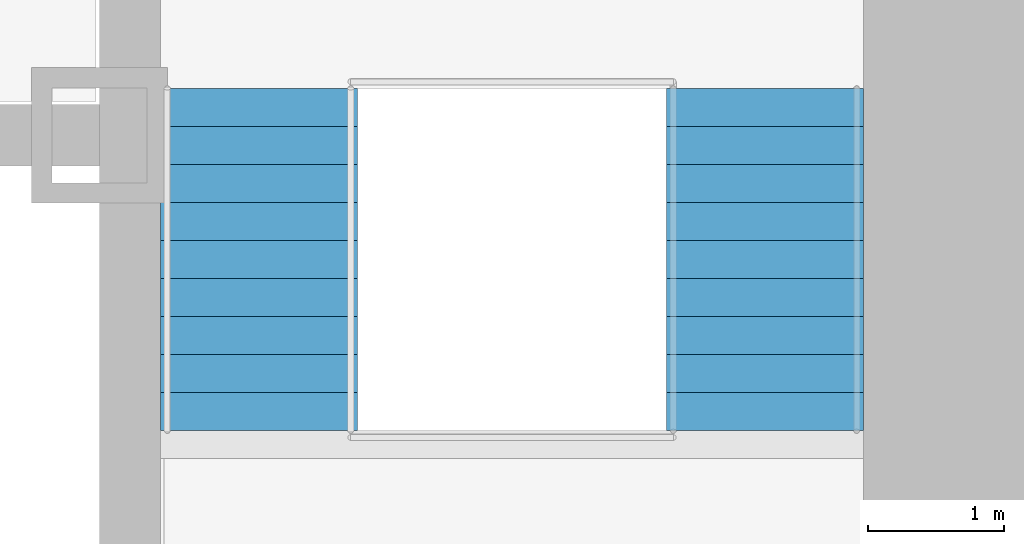
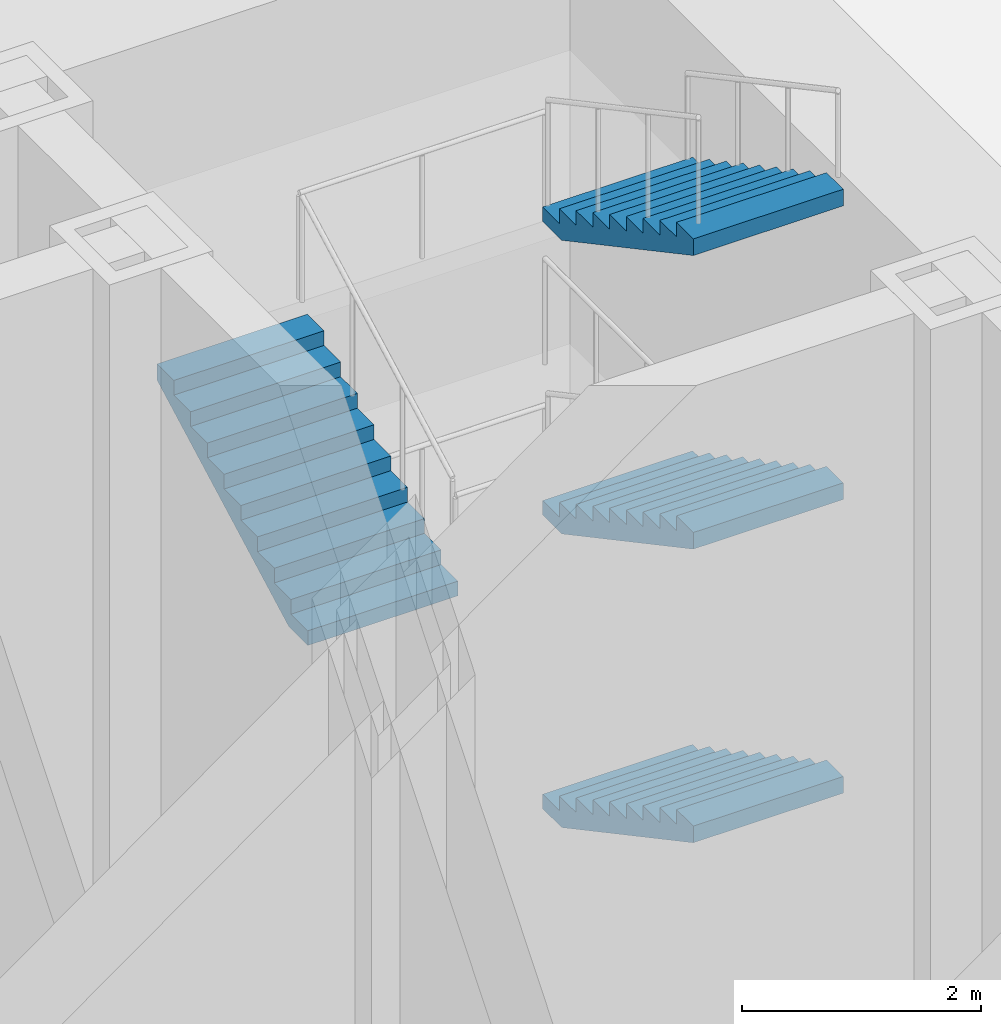
# One storey, part 18 of 20: 4 stair flights, 1 element without a shape of its own.
"""IFC4 building model written with IfcOpenShell, lengths in metres."""

from ifc_helpers import new_model, si_unit, direction, frame, origin, place, context, subcontext, project, spatial, polyline, outline, extrude, material, type_object, element, aggregate, save


model = new_model("IFC4")

# Units and contexts
model_context = context("Model", 3, precision=1e-05, world=origin(), true_north=direction((0.0, 1.0)))
body_context = subcontext(model_context, "Body", "Model", "MODEL_VIEW")
ifc_project = project(units=[si_unit("LENGTHUNIT", "METRE"), si_unit("AREAUNIT", "SQUARE_METRE"), si_unit("VOLUMEUNIT", "CUBIC_METRE"), si_unit("PLANEANGLEUNIT", "RADIAN"), si_unit("MASSUNIT", "GRAM", prefix="KILO")], contexts=[model_context])

# Site, building, storey
site_placement = place(None, origin())
site = spatial("IfcSite", under=ifc_project, at=site_placement, CompositionType="ELEMENT")
building_placement = place(site_placement, origin())
building = spatial("IfcBuilding", under=site, at=building_placement, Name="Daluyong Arena Tower", CompositionType="ELEMENT")
storey_placement = place(building_placement, frame((0.0, 0.0, 25.89990234375)))
storey = spatial("IfcBuildingStorey", under=building, at=storey_placement, Name="L05", CompositionType="ELEMENT", Elevation=25.89990234375)

# Stair, stair flights
ifc_material_1 = material(Name="Concrete fc' 35 MPa", Category="concrete")
stair_type = type_object("IfcStairType", Name="Core exit stair", PredefinedType="HALF_TURN_STAIR", material=ifc_material_1)
stair_placement = place(storey_placement, origin())
stair = element("IfcStair", 1, at=stair_placement, inside=storey, type_object=stair_type, Name="exit stair B L05", PredefinedType="HALF_TURN_STAIR")
ifc_material_2 = material(Name="Concrete fc' 35 MPa", Category="concrete")
stair_flight_type = type_object("IfcStairFlightType", Name="Core stair flight", PredefinedType="STRAIGHT", material=ifc_material_2)
stair_flight_1_placement = place(storey_placement, frame((66.675048828125, 86.344970703125, 1.5), z_axis=(0.0, 0.0, 1.0), x_axis=(0.0, -1.0, 0.0)))
stair_flight_1 = element("IfcStairFlight", 2, at=stair_flight_1_placement, type_object=stair_flight_type, Name="STB flight 2", NumberOfRisers=10, NumberOfTreads=9, PredefinedType="STRAIGHT", RiserHeight=0.15, TreadLength=0.28, context=body_context, shape_type="SweptSolid", body=[
    extrude(outline(polyline([(0.0, 0.0), (0.0, 0.14990234375), (0.280029296875, 0.14990234375), (0.280029296875, 0.300048828125), (0.56005859375, 0.300048828125), (0.56005859375, 0.449951171875), (0.840087890625, 0.449951171875), (0.840087890625, 0.60009765625), (1.1201171875, 0.60009765625), (1.1201171875, 0.75), (1.39990234375, 0.75), (1.39990234375, 0.89990234375), (1.679931640625, 0.89990234375), (1.679931640625, 1.050048828125), (1.9599609375, 1.050048828125), (1.9599609375, 1.199951171875), (2.239990234375, 1.199951171875), (2.239990234375, 1.35009765625), (2.52001953125, 1.35009765625), (2.52001953125, 1.5), (2.52001953125, 1.179931640625), (0.3173828125, 0.0), (0.0, 0.0)])), frame((0.0, 0.72509765625, 0.0), z_axis=(0.0, -1.0, 0.0), x_axis=(1.0, 0.0, 0.0)), (0.0, 0.0, 1.0), 1.449951171875),
])
stair_flight_2_placement = place(storey_placement, frame((66.675048828125, 86.344970703125, 4.5), z_axis=(0.0, 0.0, 1.0), x_axis=(0.0, -1.0, 0.0)))
stair_flight_2 = element("IfcStairFlight", 3, at=stair_flight_2_placement, type_object=stair_flight_type, Name="STB flight 4", NumberOfRisers=10, NumberOfTreads=9, PredefinedType="STRAIGHT", RiserHeight=0.15, TreadLength=0.28, context=body_context, shape_type="SweptSolid", body=[
    extrude(outline(polyline([(0.0, 0.0), (0.0, 0.14990234375), (0.280029296875, 0.14990234375), (0.280029296875, 0.300048828125), (0.56005859375, 0.300048828125), (0.56005859375, 0.449951171875), (0.840087890625, 0.449951171875), (0.840087890625, 0.60009765625), (1.1201171875, 0.60009765625), (1.1201171875, 0.75), (1.39990234375, 0.75), (1.39990234375, 0.89990234375), (1.679931640625, 0.89990234375), (1.679931640625, 1.050048828125), (1.9599609375, 1.050048828125), (1.9599609375, 1.199951171875), (2.239990234375, 1.199951171875), (2.239990234375, 1.35009765625), (2.52001953125, 1.35009765625), (2.52001953125, 1.5), (2.52001953125, 1.179931640625), (0.3173828125, 0.0), (0.0, 0.0)])), frame((0.0, 0.72509765625, 0.0), z_axis=(0.0, -1.0, 0.0), x_axis=(1.0, 0.0, 0.0)), (0.0, 0.0, 1.0), 1.449951171875),
])
stair_flight_3_placement = place(storey_placement, frame((62.949951171875, 83.824951171875, 6.0), z_axis=(0.0, 0.0, 1.0), x_axis=(0.0, 1.0, 0.0)))
stair_flight_3 = element("IfcStairFlight", 4, at=stair_flight_3_placement, type_object=stair_flight_type, Name="STB flight 5", NumberOfRisers=10, NumberOfTreads=9, PredefinedType="STRAIGHT", RiserHeight=0.15, TreadLength=0.28, context=body_context, shape_type="SweptSolid", body=[
    extrude(outline(polyline([(0.0, 0.0), (0.0, 0.14990234375), (0.280029296875, 0.14990234375), (0.280029296875, 0.300048828125), (0.56005859375, 0.300048828125), (0.56005859375, 0.449951171875), (0.840087890625, 0.449951171875), (0.840087890625, 0.60009765625), (1.1201171875, 0.60009765625), (1.1201171875, 0.75), (1.39990234375, 0.75), (1.39990234375, 0.89990234375), (1.679931640625, 0.89990234375), (1.679931640625, 1.050048828125), (1.9599609375, 1.050048828125), (1.9599609375, 1.199951171875), (2.239990234375, 1.199951171875), (2.239990234375, 1.35009765625), (2.52001953125, 1.35009765625), (2.52001953125, 1.5), (2.52001953125, 1.179931640625), (0.3173828125, 0.0), (0.0, 0.0)])), frame((0.0, 0.72509765625, 0.0), z_axis=(0.0, -1.0, 0.0), x_axis=(1.0, 0.0, 0.0)), (0.0, 0.0, 1.0), 1.449951171875),
])
stair_flight_4_placement = place(storey_placement, frame((66.675048828125, 86.344970703125, 7.5), z_axis=(0.0, 0.0, 1.0), x_axis=(0.0, -1.0, 0.0)))
stair_flight_4 = element("IfcStairFlight", 5, at=stair_flight_4_placement, type_object=stair_flight_type, Name="STB flight 6", NumberOfRisers=10, NumberOfTreads=9, PredefinedType="STRAIGHT", RiserHeight=0.15, TreadLength=0.28, context=body_context, shape_type="SweptSolid", body=[
    extrude(outline(polyline([(0.0, 0.0), (0.0, 0.14990234375), (0.280029296875, 0.14990234375), (0.280029296875, 0.300048828125), (0.56005859375, 0.300048828125), (0.56005859375, 0.449951171875), (0.840087890625, 0.449951171875), (0.840087890625, 0.60009765625), (1.1201171875, 0.60009765625), (1.1201171875, 0.75), (1.39990234375, 0.75), (1.39990234375, 0.89990234375), (1.679931640625, 0.89990234375), (1.679931640625, 1.050048828125), (1.9599609375, 1.050048828125), (1.9599609375, 1.199951171875), (2.239990234375, 1.199951171875), (2.239990234375, 1.35009765625), (2.52001953125, 1.35009765625), (2.52001953125, 1.5), (2.52001953125, 1.179931640625), (0.3173828125, 0.0), (0.0, 0.0)])), frame((0.0, 0.72509765625, 0.0), z_axis=(0.0, -1.0, 0.0), x_axis=(1.0, 0.0, 0.0)), (0.0, 0.0, 1.0), 1.449951171875),
])
aggregate(stair, [stair_flight_1, stair_flight_2, stair_flight_3, stair_flight_4])

save(model, "model.ifc")
